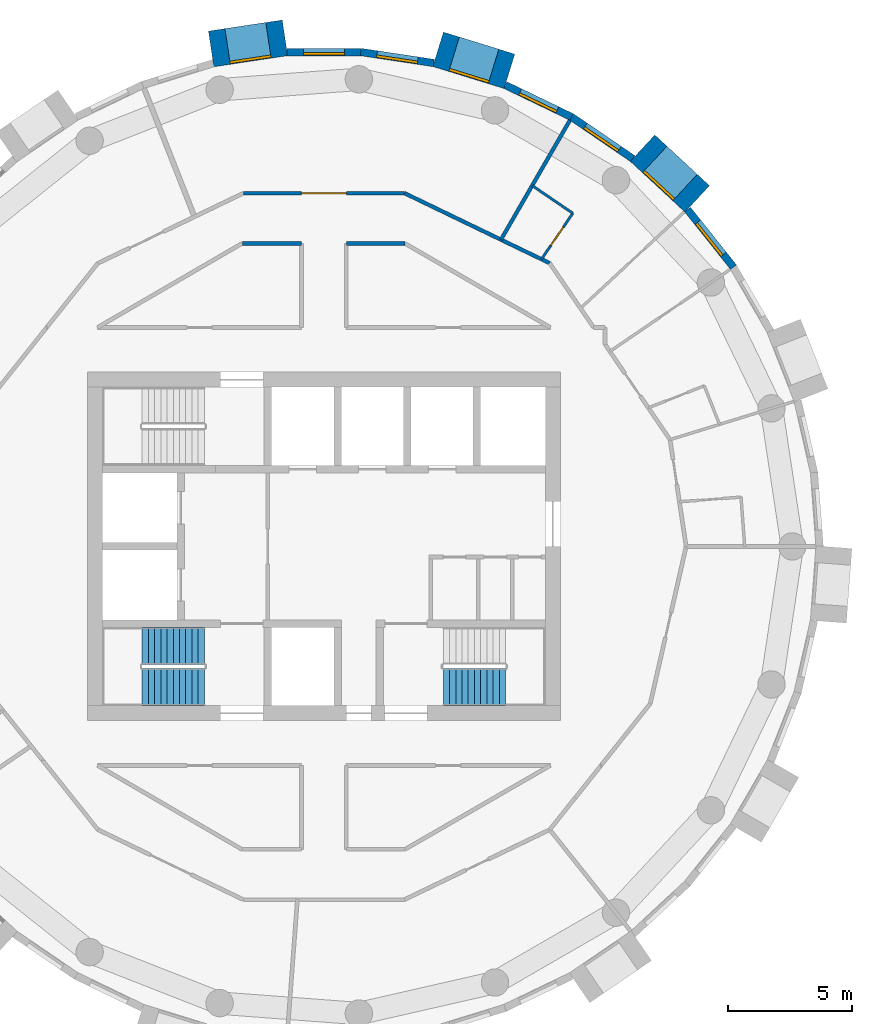
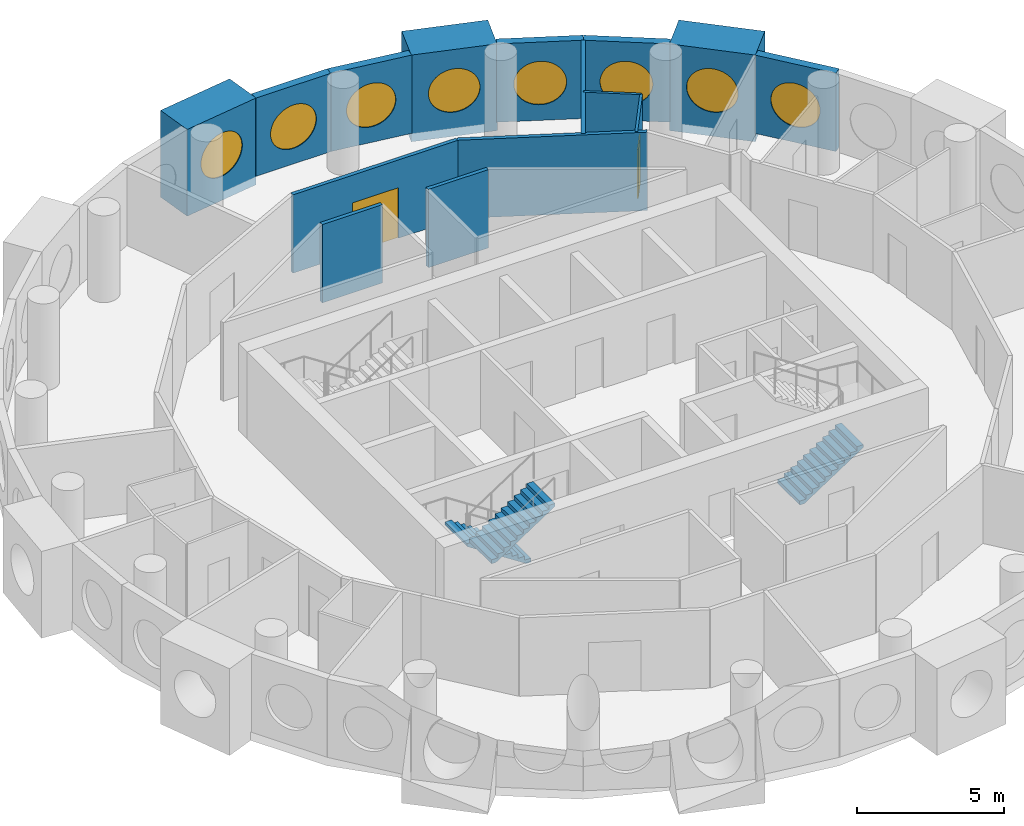
# One storey, part 9 of 11: 15 walls, 8 windows, 3 stair flights, 2 doors, 10 openings, 2 elements without a shape of their own.
"""IFC4 building model written with IfcOpenShell, lengths in metres."""

from ifc_helpers import new_model, si_unit, direction, frame, frame_2d, origin, origin_2d, place, context, subcontext, project, spatial, polyline, rectangle, circle, outline, extrude, material, layer, layer_set, type_object, element, fill, aggregate, save


model = new_model("IFC4")

# Units and contexts
model_context = context("Model", 3, precision=1e-05, world=origin(), true_north=direction((0.0, 1.0)))
body_context = subcontext(model_context, "Body", "Model", "MODEL_VIEW")
ifc_project = project(units=[si_unit("LENGTHUNIT", "METRE"), si_unit("AREAUNIT", "SQUARE_METRE"), si_unit("VOLUMEUNIT", "CUBIC_METRE"), si_unit("PLANEANGLEUNIT", "RADIAN"), si_unit("MASSUNIT", "GRAM", prefix="KILO")], contexts=[model_context])

# Site, building, storey
site_placement = place(None, origin())
site = spatial("IfcSite", under=ifc_project, at=site_placement, CompositionType="ELEMENT")
building_placement = place(site_placement, origin())
building = spatial("IfcBuilding", under=site, at=building_placement, Name="Tracery Tower", CompositionType="ELEMENT")
storey_placement = place(building_placement, frame((0.0, 0.0, 238.199951171875)))
storey = spatial("IfcBuildingStorey", under=building, at=storey_placement, Name="L61", CompositionType="ELEMENT", Elevation=238.199951171875)

# Wall, opening, window
ifc_material_1 = material(Name="Precast concrete C50/60", Category="concrete")
ifc_layer_1 = layer(ifc_material_1, 1.449951171875)
ifc_layer_set_1 = layer_set([ifc_layer_1], Name="Deep-set bay unit 3000 x 3600, slab edge 350")
wall_type_1 = type_object("IfcWallType", Name="Deep-set bay unit 3000 x 3600, slab edge 350", PredefinedType="ELEMENTEDWALL", material=ifc_layer_set_1)
wall_1_placement = place(storey_placement, frame((15.0029296875, 13.964111328125, -0.349853515625), z_axis=(0.0, 0.0, 1.0), x_axis=(-0.733022439167, 0.680204457261, 0.0)))
wall_1 = element("IfcWall", 1, at=wall_1_placement, inside=storey, type_object=wall_type_1, Name="Deep-set bay unit 6 at L61", PredefinedType="ELEMENTEDWALL", context=body_context, shape_type="SweptSolid", body=[
    extrude(rectangle(XDim=2.999755859375, YDim=1.449951171875, at=frame_2d((1.5, 0.0))), origin(), (0.0, 0.0, 1.0), 3.599853515625),
])
opening_1_placement = place(wall_1_placement, frame((1.5, 0.0, 1.89990234375)))
opening_1 = element("IfcOpeningElement", 2, at=opening_1_placement, cuts=wall_1, Name="Opening WN1", PredefinedType="OPENING", context=body_context, shape_type="SweptSolid", body=[
    extrude(circle(Radius=0.9000244140625, at=origin_2d()), frame((0.0, 0.73486328125, 0.0), z_axis=(0.0, -1.0, 0.0), x_axis=(1.0, 0.0, 0.0)), (0.0, 0.0, 1.0), 1.469970703125),
])
ifc_material_2 = material(Name="Aluminium frame with tinted double glazing", Category="aluminium")
window_type = type_object("IfcWindowType", Name="Round window 1800", PartitioningType="SINGLE_PANEL", PredefinedType="WINDOW", material=ifc_material_2)
window_1_placement = place(opening_1_placement, origin())
window_1 = element("IfcWindow", 3, at=window_1_placement, inside=storey, type_object=window_type, Name="Round window 6 at L61", OverallHeight=1.800048828125, OverallWidth=1.800048828125, PartitioningType="SINGLE_PANEL", PredefinedType="WINDOW", context=body_context, shape_type="SweptSolid", body=[
    extrude(circle(Radius=0.9000244140625, at=origin_2d()), frame((0.0, 0.69482421875, 0.0), z_axis=(0.0, -1.0, 0.0), x_axis=(1.0, 0.0, 0.0)), (0.0, 0.0, 1.0), 0.10009765625),
])
fill(opening_1, window_1)

wall_2_placement = place(storey_placement, frame((7.45849609375, 19.0908203125, -0.349853515625), z_axis=(0.0, 0.0, 1.0), x_axis=(-0.955571139978, 0.294760574774, 0.0)))
wall_2 = element("IfcWall", 4, at=wall_2_placement, inside=storey, type_object=wall_type_1, Name="Deep-set bay unit 9 at L61", PredefinedType="ELEMENTEDWALL", context=body_context, shape_type="SweptSolid", body=[
    extrude(rectangle(XDim=3.0, YDim=1.449951171875, at=frame_2d((1.5, 0.0))), origin(), (0.0, 0.0, 1.0), 3.599853515625),
])
opening_2_placement = place(wall_2_placement, frame((1.5, 0.0, 1.89990234375)))
opening_2 = element("IfcOpeningElement", 5, at=opening_2_placement, cuts=wall_2, Name="Opening WN1", PredefinedType="OPENING", context=body_context, shape_type="SweptSolid", body=[
    extrude(circle(Radius=0.9000244140625, at=origin_2d()), frame((0.0, 0.73486328125, 0.0), z_axis=(0.0, -1.0, 0.0), x_axis=(1.0, 0.0, 0.0)), (0.0, 0.0, 1.0), 1.469970703125),
])
window_2_placement = place(opening_2_placement, origin())
window_2 = element("IfcWindow", 6, at=window_2_placement, inside=storey, type_object=window_type, Name="Round window 9 at L61", OverallHeight=1.800048828125, OverallWidth=1.800048828125, PartitioningType="SINGLE_PANEL", PredefinedType="WINDOW", context=body_context, shape_type="SweptSolid", body=[
    extrude(circle(Radius=0.9000244140625, at=origin_2d()), frame((0.0, 0.69482421875, 0.0), z_axis=(0.0, -1.0, 0.0), x_axis=(1.0, 0.0, 0.0)), (0.0, 0.0, 1.0), 0.10009765625),
])
fill(opening_2, window_2)

wall_3_placement = place(storey_placement, frame((-1.563232421875, 20.436279296875, -0.349853515625), z_axis=(0.0, 0.0, 1.0), x_axis=(-0.988836445254, -0.149004981587, 0.0)))
wall_3 = element("IfcWall", 7, at=wall_3_placement, inside=storey, type_object=wall_type_1, Name="Deep-set bay unit 12 at L61", PredefinedType="ELEMENTEDWALL", context=body_context, shape_type="SweptSolid", body=[
    extrude(rectangle(XDim=3.0, YDim=1.449951171875, at=frame_2d((1.5, 0.0))), origin(), (0.0, 0.0, 1.0), 3.599853515625),
])
opening_3_placement = place(wall_3_placement, frame((1.5, 0.0, 1.89990234375)))
opening_3 = element("IfcOpeningElement", 8, at=opening_3_placement, cuts=wall_3, Name="Opening WN1", PredefinedType="OPENING", context=body_context, shape_type="SweptSolid", body=[
    extrude(circle(Radius=0.9000244140625, at=origin_2d()), frame((0.0, 0.73486328125, 0.0), z_axis=(0.0, -1.0, 0.0), x_axis=(1.0, 0.0, 0.0)), (0.0, 0.0, 1.0), 1.469970703125),
])
window_3_placement = place(opening_3_placement, origin())
window_3 = element("IfcWindow", 9, at=window_3_placement, inside=storey, type_object=window_type, Name="Round window 12 at L61", OverallHeight=1.800048828125, OverallWidth=1.800048828125, PartitioningType="SINGLE_PANEL", PredefinedType="WINDOW", context=body_context, shape_type="SweptSolid", body=[
    extrude(circle(Radius=0.9000244140625, at=origin_2d()), frame((0.0, 0.69482421875, 0.0), z_axis=(0.0, -1.0, 0.0), x_axis=(1.0, 0.0, 0.0)), (0.0, 0.0, 1.0), 0.10009765625),
])
fill(opening_3, window_3)

ifc_material_3 = material(Name="Precast concrete C50/60", Category="concrete")
ifc_layer_2 = layer(ifc_material_3, 0.300048828125)
ifc_layer_set_2 = layer_set([ifc_layer_2], Name="Facade panel 3000 x 3250")
wall_type_2 = type_object("IfcWallType", Name="Facade panel 3000 x 3250", PredefinedType="SOLIDWALL", material=ifc_layer_set_2)
wall_4_placement = place(storey_placement, frame((16.460205078125, 11.222412109375, 0.0), z_axis=(0.0, 0.0, 1.0), x_axis=(-0.623498236992, 0.781824755599, 0.0)))
wall_4 = element("IfcWall", 10, at=wall_4_placement, inside=storey, type_object=wall_type_2, Name="Facade panel 5 at L61", PredefinedType="SOLIDWALL", context=body_context, shape_type="SweptSolid", body=[
    extrude(rectangle(XDim=2.962158203125, YDim=0.300048828125, at=frame_2d((1.48095703125, 0.0))), origin(), (0.0, 0.0, 1.0), 3.25),
])
opening_4_placement = place(wall_4_placement, frame((1.48095703125, 0.0, 1.5498046875)))
opening_4 = element("IfcOpeningElement", 11, at=opening_4_placement, cuts=wall_4, Name="Opening WN1", PredefinedType="OPENING", context=body_context, shape_type="SweptSolid", body=[
    extrude(circle(Radius=0.9000244140625, at=origin_2d()), frame((0.0, 0.159912109375, 0.0), z_axis=(0.0, -1.0, 0.0), x_axis=(1.0, 0.0, 0.0)), (0.0, 0.0, 1.0), 0.320068359375),
])
window_4_placement = place(opening_4_placement, origin())
window_4 = element("IfcWindow", 12, at=window_4_placement, inside=storey, type_object=window_type, Name="Round window 5 at L61", OverallHeight=1.800048828125, OverallWidth=1.800048828125, PartitioningType="SINGLE_PANEL", PredefinedType="WINDOW", context=body_context, shape_type="SweptSolid", body=[
    extrude(circle(Radius=0.9000244140625, at=origin_2d()), frame((0.0, 0.1201171875, 0.0), z_axis=(0.0, -1.0, 0.0), x_axis=(1.0, 0.0, 0.0)), (0.0, 0.0, 1.0), 0.10009765625),
])
fill(opening_4, window_4)

wall_5_placement = place(storey_placement, frame((12.408447265625, 15.583984375, 0.0), z_axis=(0.0, 0.0, 1.0), x_axis=(-0.826236061068, 0.563324037646, 0.0)))
wall_5 = element("IfcWall", 13, at=wall_5_placement, inside=storey, type_object=wall_type_2, Name="Facade panel 7 at L61", PredefinedType="SOLIDWALL", context=body_context, shape_type="SweptSolid", body=[
    extrude(rectangle(XDim=2.962158203125, YDim=0.300048828125, at=frame_2d((1.48095703125, 0.0))), origin(), (0.0, 0.0, 1.0), 3.25),
])
opening_5_placement = place(wall_5_placement, frame((1.48095703125, 0.0, 1.5498046875)))
opening_5 = element("IfcOpeningElement", 14, at=opening_5_placement, cuts=wall_5, Name="Opening WN1", PredefinedType="OPENING", context=body_context, shape_type="SweptSolid", body=[
    extrude(circle(Radius=0.9000244140625, at=origin_2d()), frame((0.0, 0.159912109375, 0.0), z_axis=(0.0, -1.0, 0.0), x_axis=(1.0, 0.0, 0.0)), (0.0, 0.0, 1.0), 0.320068359375),
])
window_5_placement = place(opening_5_placement, origin())
window_5 = element("IfcWindow", 15, at=window_5_placement, inside=storey, type_object=window_type, Name="Round window 7 at L61", OverallHeight=1.800048828125, OverallWidth=1.800048828125, PartitioningType="SINGLE_PANEL", PredefinedType="WINDOW", context=body_context, shape_type="SweptSolid", body=[
    extrude(circle(Radius=0.9000244140625, at=origin_2d()), frame((0.0, 0.1201171875, 0.0), z_axis=(0.0, -1.0, 0.0), x_axis=(1.0, 0.0, 0.0)), (0.0, 0.0, 1.0), 0.10009765625),
])
fill(opening_5, window_5)

wall_6_placement = place(storey_placement, frame((9.9609375, 17.252685546875, 0.0), z_axis=(0.0, 0.0, 1.0), x_axis=(-0.90095513435, 0.433912255978, 0.0)))
wall_6 = element("IfcWall", 16, at=wall_6_placement, inside=storey, type_object=wall_type_2, Name="Facade panel 8 at L61", PredefinedType="SOLIDWALL", context=body_context, shape_type="SweptSolid", body=[
    extrude(rectangle(XDim=2.96240234375, YDim=0.300048828125, at=frame_2d((1.481201171875, 0.0))), origin(), (0.0, 0.0, 1.0), 3.25),
])
opening_6_placement = place(wall_6_placement, frame((1.48095703125, 0.0, 1.5498046875)))
opening_6 = element("IfcOpeningElement", 17, at=opening_6_placement, cuts=wall_6, Name="Opening WN1", PredefinedType="OPENING", context=body_context, shape_type="SweptSolid", body=[
    extrude(circle(Radius=0.9000244140625, at=origin_2d()), frame((0.0, 0.159912109375, 0.0), z_axis=(0.0, -1.0, 0.0), x_axis=(1.0, 0.0, 0.0)), (0.0, 0.0, 1.0), 0.320068359375),
])
window_6_placement = place(opening_6_placement, origin())
window_6 = element("IfcWindow", 18, at=window_6_placement, inside=storey, type_object=window_type, Name="Round window 8 at L61", OverallHeight=1.800048828125, OverallWidth=1.800048828125, PartitioningType="SINGLE_PANEL", PredefinedType="WINDOW", context=body_context, shape_type="SweptSolid", body=[
    extrude(circle(Radius=0.9000244140625, at=origin_2d()), frame((0.0, 0.1201171875, 0.0), z_axis=(0.0, -1.0, 0.0), x_axis=(1.0, 0.0, 0.0)), (0.0, 0.0, 1.0), 0.10009765625),
])
fill(opening_6, window_6)

wall_7_placement = place(storey_placement, frame((4.41796875, 19.424560546875, 0.0), z_axis=(0.0, 0.0, 1.0), x_axis=(-0.988835775663, 0.149009425104, 0.0)))
wall_7 = element("IfcWall", 19, at=wall_7_placement, inside=storey, type_object=wall_type_2, Name="Facade panel 10 at L61", PredefinedType="SOLIDWALL", context=body_context, shape_type="SweptSolid", body=[
    extrude(rectangle(XDim=2.962158203125, YDim=0.300048828125, at=frame_2d((1.48095703125, 0.0))), origin(), (0.0, 0.0, 1.0), 3.25),
])
opening_7_placement = place(wall_7_placement, frame((1.48095703125, 0.0, 1.5498046875)))
opening_7 = element("IfcOpeningElement", 20, at=opening_7_placement, cuts=wall_7, Name="Opening WN1", PredefinedType="OPENING", context=body_context, shape_type="SweptSolid", body=[
    extrude(circle(Radius=0.9000244140625, at=origin_2d()), frame((0.0, 0.159912109375, 0.0), z_axis=(0.0, -1.0, 0.0), x_axis=(1.0, 0.0, 0.0)), (0.0, 0.0, 1.0), 0.320068359375),
])
window_7_placement = place(opening_7_placement, origin())
window_7 = element("IfcWindow", 21, at=window_7_placement, inside=storey, type_object=window_type, Name="Round window 10 at L61", OverallHeight=1.800048828125, OverallWidth=1.800048828125, PartitioningType="SINGLE_PANEL", PredefinedType="WINDOW", context=body_context, shape_type="SweptSolid", body=[
    extrude(circle(Radius=0.9000244140625, at=origin_2d()), frame((0.0, 0.1201171875, 0.0), z_axis=(0.0, -1.0, 0.0), x_axis=(1.0, 0.0, 0.0)), (0.0, 0.0, 1.0), 0.10009765625),
])
fill(opening_7, window_7)

wall_8_placement = place(storey_placement, frame((1.48876953125, 19.865966796875, 0.0), z_axis=(0.0, 0.0, 1.0), x_axis=(-1.0, 0.0, 0.0)))
wall_8 = element("IfcWall", 22, at=wall_8_placement, inside=storey, type_object=wall_type_2, Name="Facade panel 11 at L61", PredefinedType="SOLIDWALL", context=body_context, shape_type="SweptSolid", body=[
    extrude(rectangle(XDim=2.962158203125, YDim=0.300048828125, at=frame_2d((1.48095703125, 0.0))), origin(), (0.0, 0.0, 1.0), 3.25),
])
opening_8_placement = place(wall_8_placement, frame((1.48095703125, 0.0, 1.5498046875)))
opening_8 = element("IfcOpeningElement", 23, at=opening_8_placement, cuts=wall_8, Name="Opening WN1", PredefinedType="OPENING", context=body_context, shape_type="SweptSolid", body=[
    extrude(circle(Radius=0.9000244140625, at=origin_2d()), frame((0.0, 0.159912109375, 0.0), z_axis=(0.0, -1.0, 0.0), x_axis=(1.0, 0.0, 0.0)), (0.0, 0.0, 1.0), 0.320068359375),
])
window_8_placement = place(opening_8_placement, origin())
window_8 = element("IfcWindow", 24, at=window_8_placement, inside=storey, type_object=window_type, Name="Round window 11 at L61", OverallHeight=1.800048828125, OverallWidth=1.800048828125, PartitioningType="SINGLE_PANEL", PredefinedType="WINDOW", context=body_context, shape_type="SweptSolid", body=[
    extrude(circle(Radius=0.9000244140625, at=origin_2d()), frame((0.0, 0.1201171875, 0.0), z_axis=(0.0, -1.0, 0.0), x_axis=(1.0, 0.0, 0.0)), (0.0, 0.0, 1.0), 0.10009765625),
])
fill(opening_8, window_8)

# Wall, opening, door
ifc_material_4 = material(Name="Plasterboard on steel studs", Category="steel")
ifc_layer_3 = layer(ifc_material_4, 0.10009765625)
ifc_layer_set_3 = layer_set([ifc_layer_3], Name="Partition 100 wet wall")
wall_type_3 = type_object("IfcWallType", Name="Partition 100 wet wall", PredefinedType="PARTITIONING", material=ifc_layer_set_3)
wall_9_placement = place(storey_placement, frame((8.742919921875, 11.541015625, 0.0), z_axis=(0.0, 0.0, 1.0), x_axis=(0.563469042551, 0.826137178734, 0.0)))
wall_9 = element("IfcWall", 25, at=wall_9_placement, inside=storey, type_object=wall_type_3, Name="Wet wall RC1-055", PredefinedType="PARTITIONING", context=body_context, shape_type="SweptSolid", body=[
    extrude(rectangle(XDim=2.234375, YDim=0.10009765625, at=frame_2d((1.1171875, 0.0))), origin(), (0.0, 0.0, 1.0), 3.25),
])
opening_9_placement = place(wall_9_placement, frame((0.6669921875, 0.0, 0.0)))
opening_9 = element("IfcOpeningElement", 26, at=opening_9_placement, cuts=wall_9, Name="Opening RC1-11", PredefinedType="OPENING", context=body_context, shape_type="SweptSolid", body=[
    extrude(rectangle(XDim=0.89990234375, YDim=2.0400390625, at=frame_2d((0.449951171875, 1.02001953125))), frame((0.0, 0.050048828125, 0.0), z_axis=(0.0, -1.0, 0.0), x_axis=(1.0, 0.0, 0.0)), (0.0, 0.0, 1.0), 0.10009765625),
])
ifc_material_5 = material(Name="Timber door leaf", Category="wood")
door_type_1 = type_object("IfcDoorType", Name="Door en-suite 900", OperationType="NOTDEFINED", PredefinedType="DOOR", material=ifc_material_5)
door_1_placement = place(opening_9_placement, origin())
door_1 = element("IfcDoor", 27, at=door_1_placement, inside=storey, type_object=door_type_1, Name="En-suite door RC1-11", OperationType="SINGLE_SWING_LEFT", OverallHeight=2.0400390625, OverallWidth=0.89990234375, PredefinedType="DOOR", context=body_context, shape_type="SweptSolid", body=[
    extrude(rectangle(XDim=0.89990234375, YDim=2.0400390625, at=frame_2d((0.449951171875, 1.02001953125))), frame((0.0, 0.02490234375, 0.0), z_axis=(0.0, -1.0, 0.0), x_axis=(1.0, 0.0, 0.0)), (0.0, 0.0, 1.0), 0.050048828125),
])
fill(opening_9, door_1)

# Walls
wall_10_placement = place(storey_placement, frame((8.37109375, 14.4990234375, 0.0), z_axis=(0.0, 0.0, 1.0), x_axis=(0.82620117489, -0.563375202339, 0.0)))
element("IfcWall", 28, at=wall_10_placement, inside=storey, type_object=wall_type_3, Name="Wet wall RC1-056", PredefinedType="PARTITIONING", context=body_context, shape_type="SweptSolid", body=[
    extrude(rectangle(XDim=1.973876953125, YDim=0.10009765625, at=frame_2d((0.98681640625, 0.0))), origin(), (0.0, 0.0, 1.0), 3.25),
])
ifc_material_6 = material(Name="Plasterboard on steel studs", Category="steel")
ifc_layer_4 = layer(ifc_material_6, 0.14990234375)
ifc_layer_set_4 = layer_set([ifc_layer_4], Name="Partition 150 acoustic unit wall")
wall_type_4 = type_object("IfcWallType", Name="Partition 150 acoustic unit wall", PredefinedType="PARTITIONING", material=ifc_layer_set_4)
wall_11_placement = place(storey_placement, frame((7.115478515625, 12.3251953125, 0.0), z_axis=(0.0, 0.0, 1.0), x_axis=(0.500139547481, 0.865944821017, 0.0)))
element("IfcWall", 29, at=wall_11_placement, inside=storey, type_object=wall_type_4, Name="Unit wall RC1-057", PredefinedType="PARTITIONING", context=body_context, shape_type="SweptSolid", body=[
    extrude(rectangle(XDim=5.53955078125, YDim=0.14990234375, at=frame_2d((2.769775390625, 0.0))), origin(), (0.0, 0.0, 1.0), 3.25),
])
ifc_material_7 = material(Name="Plasterboard on steel studs", Category="steel")
ifc_layer_5 = layer(ifc_material_7, 0.14990234375)
ifc_layer_set_5 = layer_set([ifc_layer_5], Name="Partition 150 corridor wall")
wall_type_5 = type_object("IfcWallType", Name="Partition 150 corridor wall", PredefinedType="PARTITIONING", material=ifc_layer_set_5)
for number, where, z_axis, x_axis, name in (
    (30, (-3.260986328125, 12.1708984375, 0.0), (0.0, 0.0, 1.0), (1.0, 0.0, 0.0), "Corridor wall RC1-026"),
    (31, (0.89990234375, 12.1708984375, 0.0), (0.0, 0.0, 1.0), (1.0, 0.0, 0.0), "Corridor wall RC1-028"),
):
    element("IfcWall", number, at=place(storey_placement, frame(where, z_axis=z_axis, x_axis=x_axis)), inside=storey, type_object=wall_type_5, Name=name, PredefinedType="PARTITIONING", context=body_context, shape_type="SweptSolid", body=[
        extrude(rectangle(XDim=2.361083984375, YDim=0.14990234375, at=frame_2d((1.1806640625, 0.0))), origin(), (0.0, 0.0, 1.0), 3.25),
    ])
wall_12_placement = place(storey_placement, frame((3.240234375, 14.194580078125, 0.0), z_axis=(0.0, 0.0, 1.0), x_axis=(0.900778421649, -0.434278983018, 0.0)))
element("IfcWall", 32, at=wall_12_placement, inside=storey, type_object=wall_type_5, Name="Corridor wall RC1-030", PredefinedType="PARTITIONING", context=body_context, shape_type="SweptSolid", body=[
    extrude(rectangle(XDim=6.478515625, YDim=0.14990234375, at=frame_2d((3.2392578125, 0.0))), origin(), (0.0, 0.0, 1.0), 3.25),
])

# Wall, opening, door
wall_13_placement = place(storey_placement, frame((-3.239013671875, 14.19189453125, 0.0), z_axis=(0.0, 0.0, 1.0), x_axis=(1.0, 0.0, 0.0)))
wall_13 = element("IfcWall", 33, at=wall_13_placement, inside=storey, type_object=wall_type_5, Name="Corridor wall RC1-032", PredefinedType="PARTITIONING", context=body_context, shape_type="SweptSolid", body=[
    extrude(rectangle(XDim=6.47802734375, YDim=0.14990234375, at=frame_2d((3.239013671875, 0.0))), origin(), (0.0, 0.0, 1.0), 3.25),
])
opening_10_placement = place(wall_13_placement, frame((2.339111328125, 0.0, 0.0)))
opening_10 = element("IfcOpeningElement", 34, at=opening_10_placement, cuts=wall_13, Name="Opening RC1-12", PredefinedType="OPENING", context=body_context, shape_type="SweptSolid", body=[
    extrude(rectangle(XDim=1.800048828125, YDim=2.10009765625, at=frame_2d((0.89990234375, 1.050048828125))), frame((0.0, 0.074951171875, 0.0), z_axis=(0.0, -1.0, 0.0), x_axis=(1.0, 0.0, 0.0)), (0.0, 0.0, 1.0), 0.14990234375),
])
ifc_material_8 = material(Name="Timber door leaf", Category="wood")
door_type_2 = type_object("IfcDoorType", Name="Door double lounge 1800", OperationType="NOTDEFINED", PredefinedType="DOOR", material=ifc_material_8)
door_2_placement = place(opening_10_placement, origin())
door_2 = element("IfcDoor", 35, at=door_2_placement, inside=storey, type_object=door_type_2, Name="Double lounge door RC1-12", OperationType="DOUBLE_DOOR_SINGLE_SWING", OverallHeight=2.10009765625, OverallWidth=1.800048828125, PredefinedType="DOOR", context=body_context, shape_type="SweptSolid", body=[
    extrude(rectangle(XDim=1.800048828125, YDim=2.10009765625, at=frame_2d((0.89990234375, 1.050048828125))), frame((0.0, 0.02490234375, 0.0), z_axis=(0.0, -1.0, 0.0), x_axis=(1.0, 0.0, 0.0)), (0.0, 0.0, 1.0), 0.050048828125),
])
fill(opening_10, door_2)

# Stair, stair flights
ifc_material_9 = material(Name="Concrete C32/40", Category="concrete")
stair_type = type_object("IfcStairType", Name="Core stair 22 risers", PredefinedType="HALF_TURN_STAIR", material=ifc_material_9)
stair_1_placement = place(storey_placement, origin())
stair_1 = element("IfcStair", 36, at=stair_1_placement, inside=storey, type_object=stair_type, Name="L61 stair ST1", PredefinedType="HALF_TURN_STAIR")
ifc_material_10 = material(Name="Concrete C32/40", Category="concrete")
stair_flight_type = type_object("IfcStairFlightType", Name="Core stair flight 11 risers", PredefinedType="STRAIGHT", material=ifc_material_10)
stair_flight_1_placement = place(storey_placement, frame((-4.800048828125, -4.0, 0.0), z_axis=(0.0, 0.0, 1.0), x_axis=(-1.0, 0.0, 0.0)))
stair_flight_1 = element("IfcStairFlight", 37, at=stair_flight_1_placement, type_object=stair_flight_type, Name="ST1 flight 1", NumberOfRisers=11, NumberOfTreads=10, PredefinedType="STRAIGHT", RiserHeight=0.163636364, TreadLength=0.25, context=body_context, shape_type="SweptSolid", body=[
    extrude(outline(polyline([(0.0, 0.0), (0.0, 0.002685546875), (0.0, 0.00537109375), (0.0, 0.008056640625), (0.0, 0.0107421875), (0.0, 0.013427734375), (0.0, 0.01611328125), (0.0, 0.018798828125), (0.0, 0.021484375), (0.0, 0.024169921875), (0.0, 0.02685546875), (0.0, 0.029541015625), (0.0, 0.0322265625), (0.0, 0.034912109375), (0.0, 0.03759765625), (0.0, 0.040283203125), (0.0, 0.04296875), (0.0, 0.045654296875), (0.0, 0.04833984375), (0.0, 0.051025390625), (0.0, 0.0537109375), (0.0, 0.056396484375), (0.0, 0.05908203125), (0.0, 0.061767578125), (0.0, 0.064453125), (0.0, 0.067138671875), (0.0, 0.06982421875), (0.0, 0.072509765625), (0.0, 0.0751953125), (0.0, 0.077880859375), (0.0, 0.08056640625), (0.0, 0.083251953125), (0.0, 0.0859375), (0.0, 0.088623046875), (0.0, 0.09130859375), (0.0, 0.093994140625), (0.0, 0.0966796875), (0.0, 0.099365234375), (0.0, 0.10205078125), (0.0, 0.104736328125), (0.0, 0.107421875), (0.0, 0.10986328125), (0.0, 0.112548828125), (0.0, 0.115234375), (0.0, 0.117919921875), (0.0, 0.12060546875), (0.0, 0.123291015625), (0.0, 0.1259765625), (0.0, 0.128662109375), (0.0, 0.13134765625), (0.0, 0.134033203125), (0.0, 0.13671875), (0.0, 0.139404296875), (0.0, 0.14208984375), (0.0, 0.144775390625), (0.0, 0.1474609375), (0.0, 0.150146484375), (0.0, 0.15283203125), (0.0, 0.155517578125), (0.0, 0.158203125), (0.0, 0.160888671875), (0.0, 0.16357421875), (0.25, 0.16357421875), (0.25, 0.327392578125), (0.5, 0.327392578125), (0.5, 0.490966796875), (0.75, 0.490966796875), (0.75, 0.654541015625), (1.0, 0.654541015625), (1.0, 0.818115234375), (1.25, 0.818115234375), (1.25, 0.98193359375), (1.5, 0.98193359375), (1.5, 1.1455078125), (1.75, 1.1455078125), (1.75, 1.30908203125), (2.0, 1.30908203125), (2.0, 1.47265625), (2.25, 1.47265625), (2.25, 1.636474609375), (2.5, 1.636474609375), (2.5, 1.634521484375), (2.5, 1.63232421875), (2.5, 1.63037109375), (2.5, 1.62841796875), (2.5, 1.62646484375), (2.5, 1.62451171875), (2.5, 1.62255859375), (2.5, 1.62060546875), (2.5, 1.61865234375), (2.5, 1.61669921875), (2.5, 1.61474609375), (2.5, 1.61279296875), (2.5, 1.61083984375), (2.5, 1.60888671875), (2.5, 1.60693359375), (2.5, 1.60498046875), (2.5, 1.60302734375), (2.5, 1.60107421875), (2.5, 1.59912109375), (2.5, 1.59716796875), (2.5, 1.59521484375), (2.5, 1.59326171875), (2.5, 1.59130859375), (2.5, 1.58935546875), (2.5, 1.58740234375), (2.5, 1.58544921875), (2.5, 1.58349609375), (2.5, 1.58154296875), (2.5, 1.57958984375), (2.5, 1.57763671875), (2.5, 1.57568359375), (2.5, 1.573486328125), (2.5, 1.571533203125), (2.5, 1.569580078125), (2.5, 1.567626953125), (2.5, 1.565673828125), (2.5, 1.563720703125), (2.5, 1.561767578125), (2.5, 1.559814453125), (2.5, 1.557861328125), (2.5, 1.555908203125), (2.5, 1.553955078125), (2.5, 1.552001953125), (2.5, 1.550048828125), (2.5, 1.548095703125), (2.5, 1.546142578125), (2.5, 1.544189453125), (2.5, 1.542236328125), (2.5, 1.540283203125), (2.5, 1.538330078125), (2.5, 1.536376953125), (2.5, 1.534423828125), (2.5, 1.532470703125), (2.5, 1.530517578125), (2.5, 1.528564453125), (2.5, 1.526611328125), (2.5, 1.524658203125), (2.5, 1.522705078125), (2.5, 1.520751953125), (2.5, 1.518798828125), (2.5, 1.516845703125), (0.182861328125, 0.0), (0.0, 0.0)])), frame((0.0, 0.75, 0.0), z_axis=(0.0, -1.0, 0.0), x_axis=(1.0, 0.0, 0.0)), (0.0, 0.0, 1.0), 1.5),
])
stair_flight_2_placement = place(storey_placement, frame((-7.300048828125, -5.64990234375, 1.800048828125), z_axis=(0.0, 0.0, 1.0), x_axis=(1.0, 0.0, 0.0)))
stair_flight_2 = element("IfcStairFlight", 38, at=stair_flight_2_placement, type_object=stair_flight_type, Name="ST1 flight 2", NumberOfRisers=11, NumberOfTreads=10, PredefinedType="STRAIGHT", RiserHeight=0.163636364, TreadLength=0.25, context=body_context, shape_type="SweptSolid", body=[
    extrude(outline(polyline([(0.0, 0.0), (0.0, 0.002685546875), (0.0, 0.00537109375), (0.0, 0.008056640625), (0.0, 0.0107421875), (0.0, 0.013427734375), (0.0, 0.01611328125), (0.0, 0.018798828125), (0.0, 0.021484375), (0.0, 0.024169921875), (0.0, 0.02685546875), (0.0, 0.029541015625), (0.0, 0.0322265625), (0.0, 0.034912109375), (0.0, 0.03759765625), (0.0, 0.040283203125), (0.0, 0.04296875), (0.0, 0.045654296875), (0.0, 0.04833984375), (0.0, 0.051025390625), (0.0, 0.0537109375), (0.0, 0.056396484375), (0.0, 0.05908203125), (0.0, 0.061767578125), (0.0, 0.064453125), (0.0, 0.067138671875), (0.0, 0.06982421875), (0.0, 0.072509765625), (0.0, 0.0751953125), (0.0, 0.077880859375), (0.0, 0.08056640625), (0.0, 0.083251953125), (0.0, 0.0859375), (0.0, 0.088623046875), (0.0, 0.09130859375), (0.0, 0.093994140625), (0.0, 0.0966796875), (0.0, 0.099365234375), (0.0, 0.10205078125), (0.0, 0.104736328125), (0.0, 0.107421875), (0.0, 0.10986328125), (0.0, 0.112548828125), (0.0, 0.115234375), (0.0, 0.117919921875), (0.0, 0.12060546875), (0.0, 0.123291015625), (0.0, 0.1259765625), (0.0, 0.128662109375), (0.0, 0.13134765625), (0.0, 0.134033203125), (0.0, 0.13671875), (0.0, 0.139404296875), (0.0, 0.14208984375), (0.0, 0.144775390625), (0.0, 0.1474609375), (0.0, 0.150146484375), (0.0, 0.15283203125), (0.0, 0.155517578125), (0.0, 0.158203125), (0.0, 0.160888671875), (0.0, 0.16357421875), (0.25, 0.16357421875), (0.25, 0.327392578125), (0.5, 0.327392578125), (0.5, 0.490966796875), (0.75, 0.490966796875), (0.75, 0.654541015625), (1.0, 0.654541015625), (1.0, 0.818115234375), (1.25, 0.818115234375), (1.25, 0.98193359375), (1.5, 0.98193359375), (1.5, 1.1455078125), (1.75, 1.1455078125), (1.75, 1.30908203125), (2.0, 1.30908203125), (2.0, 1.47265625), (2.25, 1.47265625), (2.25, 1.636474609375), (2.5, 1.636474609375), (2.5, 1.634521484375), (2.5, 1.63232421875), (2.5, 1.63037109375), (2.5, 1.62841796875), (2.5, 1.62646484375), (2.5, 1.62451171875), (2.5, 1.62255859375), (2.5, 1.62060546875), (2.5, 1.61865234375), (2.5, 1.61669921875), (2.5, 1.61474609375), (2.5, 1.61279296875), (2.5, 1.61083984375), (2.5, 1.60888671875), (2.5, 1.60693359375), (2.5, 1.60498046875), (2.5, 1.60302734375), (2.5, 1.60107421875), (2.5, 1.59912109375), (2.5, 1.59716796875), (2.5, 1.59521484375), (2.5, 1.59326171875), (2.5, 1.59130859375), (2.5, 1.58935546875), (2.5, 1.58740234375), (2.5, 1.58544921875), (2.5, 1.58349609375), (2.5, 1.58154296875), (2.5, 1.57958984375), (2.5, 1.57763671875), (2.5, 1.57568359375), (2.5, 1.573486328125), (2.5, 1.571533203125), (2.5, 1.569580078125), (2.5, 1.567626953125), (2.5, 1.565673828125), (2.5, 1.563720703125), (2.5, 1.561767578125), (2.5, 1.559814453125), (2.5, 1.557861328125), (2.5, 1.555908203125), (2.5, 1.553955078125), (2.5, 1.552001953125), (2.5, 1.550048828125), (2.5, 1.548095703125), (2.5, 1.546142578125), (2.5, 1.544189453125), (2.5, 1.542236328125), (2.5, 1.540283203125), (2.5, 1.538330078125), (2.5, 1.536376953125), (2.5, 1.534423828125), (2.5, 1.532470703125), (2.5, 1.530517578125), (2.5, 1.528564453125), (2.5, 1.526611328125), (2.5, 1.524658203125), (2.5, 1.522705078125), (2.5, 1.520751953125), (2.5, 1.518798828125), (2.5, 1.516845703125), (0.182861328125, 0.0), (0.0, 0.0)])), frame((0.0, 0.75, 0.0), z_axis=(0.0, -1.0, 0.0), x_axis=(1.0, 0.0, 0.0)), (0.0, 0.0, 1.0), 1.5),
])
aggregate(stair_1, [stair_flight_1, stair_flight_2])

# Stair, stair flight
stair_2_placement = place(storey_placement, origin())
stair_2 = element("IfcStair", 39, at=stair_2_placement, inside=storey, type_object=stair_type, Name="L61 stair ST2", PredefinedType="HALF_TURN_STAIR")
stair_flight_3_placement = place(storey_placement, frame((4.800048828125, -5.64990234375, 0.0), z_axis=(0.0, 0.0, 1.0), x_axis=(1.0, 0.0, 0.0)))
stair_flight_3 = element("IfcStairFlight", 40, at=stair_flight_3_placement, type_object=stair_flight_type, Name="ST2 flight 1", NumberOfRisers=11, NumberOfTreads=10, PredefinedType="STRAIGHT", RiserHeight=0.163636364, TreadLength=0.25, context=body_context, shape_type="SweptSolid", body=[
    extrude(outline(polyline([(0.0, 0.0), (0.0, 0.002685546875), (0.0, 0.00537109375), (0.0, 0.008056640625), (0.0, 0.0107421875), (0.0, 0.013427734375), (0.0, 0.01611328125), (0.0, 0.018798828125), (0.0, 0.021484375), (0.0, 0.024169921875), (0.0, 0.02685546875), (0.0, 0.029541015625), (0.0, 0.0322265625), (0.0, 0.034912109375), (0.0, 0.03759765625), (0.0, 0.040283203125), (0.0, 0.04296875), (0.0, 0.045654296875), (0.0, 0.04833984375), (0.0, 0.051025390625), (0.0, 0.0537109375), (0.0, 0.056396484375), (0.0, 0.05908203125), (0.0, 0.061767578125), (0.0, 0.064453125), (0.0, 0.067138671875), (0.0, 0.06982421875), (0.0, 0.072509765625), (0.0, 0.0751953125), (0.0, 0.077880859375), (0.0, 0.08056640625), (0.0, 0.083251953125), (0.0, 0.0859375), (0.0, 0.088623046875), (0.0, 0.09130859375), (0.0, 0.093994140625), (0.0, 0.0966796875), (0.0, 0.099365234375), (0.0, 0.10205078125), (0.0, 0.104736328125), (0.0, 0.107421875), (0.0, 0.10986328125), (0.0, 0.112548828125), (0.0, 0.115234375), (0.0, 0.117919921875), (0.0, 0.12060546875), (0.0, 0.123291015625), (0.0, 0.1259765625), (0.0, 0.128662109375), (0.0, 0.13134765625), (0.0, 0.134033203125), (0.0, 0.13671875), (0.0, 0.139404296875), (0.0, 0.14208984375), (0.0, 0.144775390625), (0.0, 0.1474609375), (0.0, 0.150146484375), (0.0, 0.15283203125), (0.0, 0.155517578125), (0.0, 0.158203125), (0.0, 0.160888671875), (0.0, 0.16357421875), (0.25, 0.16357421875), (0.25, 0.327392578125), (0.5, 0.327392578125), (0.5, 0.490966796875), (0.75, 0.490966796875), (0.75, 0.654541015625), (1.0, 0.654541015625), (1.0, 0.818115234375), (1.25, 0.818115234375), (1.25, 0.98193359375), (1.5, 0.98193359375), (1.5, 1.1455078125), (1.75, 1.1455078125), (1.75, 1.30908203125), (2.0, 1.30908203125), (2.0, 1.47265625), (2.25, 1.47265625), (2.25, 1.636474609375), (2.5, 1.636474609375), (2.5, 1.634521484375), (2.5, 1.63232421875), (2.5, 1.63037109375), (2.5, 1.62841796875), (2.5, 1.62646484375), (2.5, 1.62451171875), (2.5, 1.62255859375), (2.5, 1.62060546875), (2.5, 1.61865234375), (2.5, 1.61669921875), (2.5, 1.61474609375), (2.5, 1.61279296875), (2.5, 1.61083984375), (2.5, 1.60888671875), (2.5, 1.60693359375), (2.5, 1.60498046875), (2.5, 1.60302734375), (2.5, 1.60107421875), (2.5, 1.59912109375), (2.5, 1.59716796875), (2.5, 1.59521484375), (2.5, 1.59326171875), (2.5, 1.59130859375), (2.5, 1.58935546875), (2.5, 1.58740234375), (2.5, 1.58544921875), (2.5, 1.58349609375), (2.5, 1.58154296875), (2.5, 1.57958984375), (2.5, 1.57763671875), (2.5, 1.57568359375), (2.5, 1.573486328125), (2.5, 1.571533203125), (2.5, 1.569580078125), (2.5, 1.567626953125), (2.5, 1.565673828125), (2.5, 1.563720703125), (2.5, 1.561767578125), (2.5, 1.559814453125), (2.5, 1.557861328125), (2.5, 1.555908203125), (2.5, 1.553955078125), (2.5, 1.552001953125), (2.5, 1.550048828125), (2.5, 1.548095703125), (2.5, 1.546142578125), (2.5, 1.544189453125), (2.5, 1.542236328125), (2.5, 1.540283203125), (2.5, 1.538330078125), (2.5, 1.536376953125), (2.5, 1.534423828125), (2.5, 1.532470703125), (2.5, 1.530517578125), (2.5, 1.528564453125), (2.5, 1.526611328125), (2.5, 1.524658203125), (2.5, 1.522705078125), (2.5, 1.520751953125), (2.5, 1.518798828125), (2.5, 1.516845703125), (0.182861328125, 0.0), (0.0, 0.0)])), frame((0.0, 0.75, 0.0), z_axis=(0.0, -1.0, 0.0), x_axis=(1.0, 0.0, 0.0)), (0.0, 0.0, 1.0), 1.5),
])
aggregate(stair_2, [stair_flight_3])

save(model, "model.ifc")
